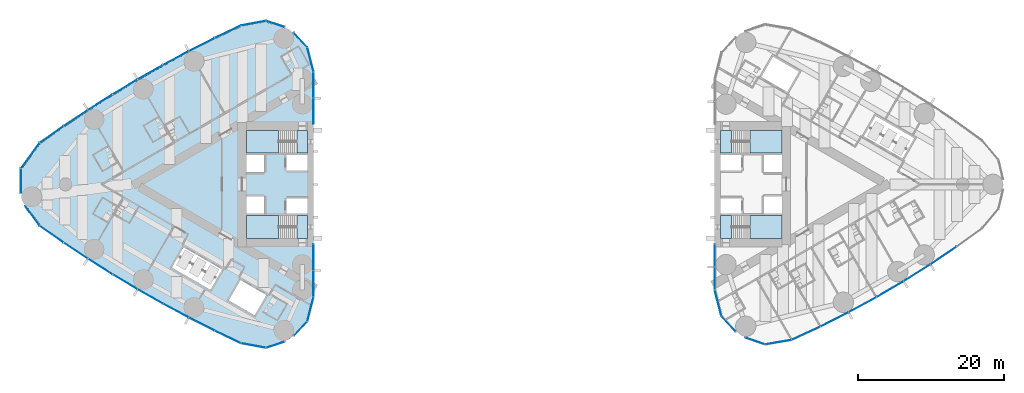
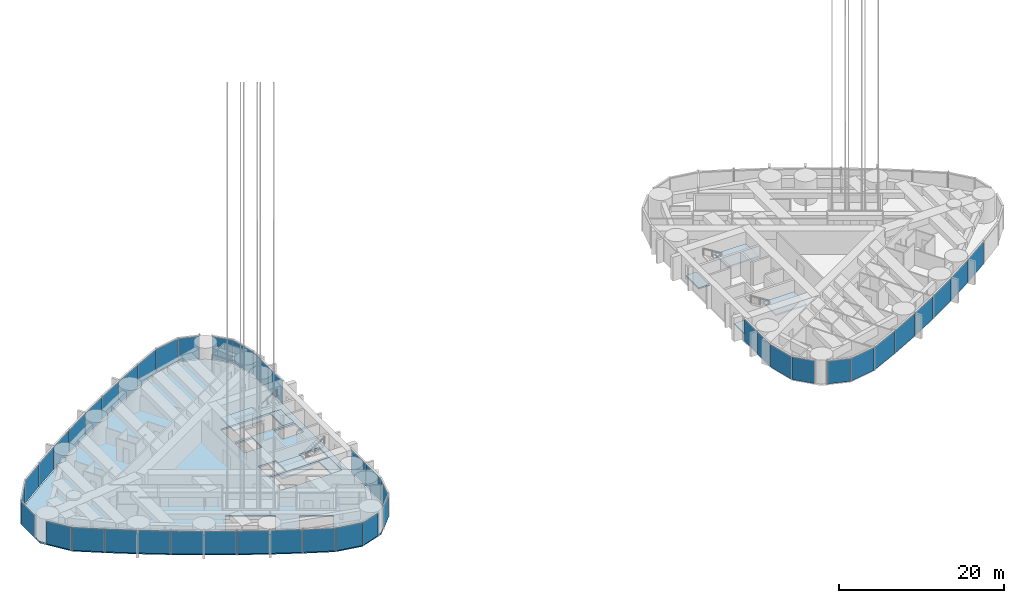
# One storey, part 10 of 21: 43 plates, 9 slabs, 10 elements without a shape of their own.
"""IFC4 building model written with IfcOpenShell, lengths in metres."""

from ifc_helpers import new_model, si_unit, direction, frame, origin, origin_2d, place, context, subcontext, project, spatial, polyline, rectangle, outline, extrude, material, layer, layer_set, type_object, element, aggregate, save


model = new_model("IFC4")

# Units and contexts
model_context = context("Model", 3, precision=1e-05, world=origin(), true_north=direction((0.0, 1.0)))
body_context = subcontext(model_context, "Body", "Model", "MODEL_VIEW")
ifc_project = project(units=[si_unit("LENGTHUNIT", "METRE"), si_unit("AREAUNIT", "SQUARE_METRE"), si_unit("VOLUMEUNIT", "CUBIC_METRE"), si_unit("PLANEANGLEUNIT", "RADIAN"), si_unit("MASSUNIT", "GRAM", prefix="KILO")], contexts=[model_context])

# Site, building, storey
site_placement = place(None, origin())
site = spatial("IfcSite", under=ifc_project, at=site_placement, CompositionType="ELEMENT")
building_placement = place(site_placement, origin())
building = spatial("IfcBuilding", under=site, at=building_placement, Name="Lancet Gate Hotel", CompositionType="ELEMENT")
storey_placement = place(building_placement, frame((0.0, 0.0, 156.300048828125)))
storey = spatial("IfcBuildingStorey", under=building, at=storey_placement, Name="L41", CompositionType="ELEMENT", Elevation=156.300048828125)

# Slab
ifc_material_1 = material(Name="Concrete C50/60", Category="concrete")
ifc_layer_1 = layer(ifc_material_1, 0.25)
ifc_layer_set_1 = layer_set([ifc_layer_1], Name="Floor slab 250")
slab_type_1 = type_object("IfcSlabType", Name="Floor slab 250", PredefinedType="FLOOR", material=ifc_layer_set_1)
slab_1_placement = place(storey_placement, frame((0.0, 0.0, -0.25)))
element("IfcSlab", 1, at=slab_1_placement, inside=storey, type_object=slab_type_1, Name="T1 L41 floor slab", PredefinedType="FLOOR", context=body_context, shape_type="SweptSolid", body=[
    extrude(outline(polyline([(-27.5, 8.60009765625), (-27.6201171875, 8.60009765625), (-27.6201171875, 15.408203125), (-28.46923828125, 18.7265625), (-30.797607421875, 21.217529296875), (-34.0361328125, 22.283935546875), (-37.403564453125, 21.660400390625), (-40.996826171875, 19.9453125), (-44.561767578125, 18.139404296875), (-48.0830078125, 16.250244140625), (-51.558837890625, 14.27880859375), (-54.987548828125, 12.22607421875), (-58.366943359375, 10.09326171875), (-61.695068359375, 7.881591796875), (-64.955322265625, 5.602783203125), (-67.49560546875, 2.138427734375), (-67.49560546875, -2.138427734375), (-64.955322265625, -5.602783203125), (-61.695068359375, -7.881591796875), (-58.366943359375, -10.09326171875), (-54.987548828125, -12.22607421875), (-51.558837890625, -14.27880859375), (-48.0830078125, -16.250244140625), (-44.561767578125, -18.139404296875), (-40.996826171875, -19.9453125), (-37.403564453125, -21.660400390625), (-34.0361328125, -22.283935546875), (-30.797607421875, -21.217529296875), (-28.46923828125, -18.7265625), (-27.6201171875, -15.408203125), (-27.6201171875, -8.60009765625), (-27.5, -8.60009765625), (-27.5, -8.199951171875), (-27.5, 8.199951171875), (-27.5, 8.60009765625)]), holes=[polyline([(-36.699951171875, 7.39990234375), (-36.699951171875, 4.300048828125), (-28.300048828125, 4.300048828125), (-28.300048828125, 7.39990234375), (-36.699951171875, 7.39990234375)]), polyline([(-28.300048828125, 4.0), (-31.199951171875, 4.0), (-31.199951171875, 1.89990234375), (-28.300048828125, 1.89990234375), (-28.300048828125, 4.0)]), polyline([(-34.25, 4.0), (-36.699951171875, 4.0), (-36.699951171875, 1.64990234375), (-34.25, 1.64990234375), (-34.25, 4.0)]), polyline([(-36.699951171875, -1.64990234375), (-36.699951171875, -4.0), (-34.25, -4.0), (-34.25, -1.64990234375), (-36.699951171875, -1.64990234375)]), polyline([(-28.300048828125, -1.89990234375), (-31.199951171875, -1.89990234375), (-31.199951171875, -4.0), (-28.300048828125, -4.0), (-28.300048828125, -1.89990234375)]), polyline([(-28.300048828125, -4.300048828125), (-36.699951171875, -4.300048828125), (-36.699951171875, -7.39990234375), (-28.300048828125, -7.39990234375), (-28.300048828125, -4.300048828125)]), polyline([(-40.035888671875, -11.680908203125), (-45.319091796875, -8.631103515625), (-46.9189453125, -11.402099609375), (-41.635986328125, -14.451904296875), (-40.035888671875, -11.680908203125)]), polyline([(-33.97412109375, -15.180908203125), (-37.52490234375, -13.131103515625), (-39.125, -15.902099609375), (-35.573974609375, -17.951904296875), (-33.97412109375, -15.180908203125)])]), origin(), (0.0, 0.0, 1.0), 0.25),
])

# Stair, slabs
ifc_material_2 = material(Name="Exit stair 20 risers 1500")
stair_type = type_object("IfcStairType", Name="Exit stair 20 risers 1500", PredefinedType="HALF_TURN_STAIR", material=ifc_material_2)
stair_1_placement = place(storey_placement, origin())
stair_1 = element("IfcStair", 2, at=stair_1_placement, inside=storey, type_object=stair_type, Name="T1 stair 1 L41", PredefinedType="HALF_TURN_STAIR")
ifc_material_3 = material(Name="Concrete C40/50", Category="concrete")
ifc_layer_2 = layer(ifc_material_3, 0.199951171875)
ifc_layer_set_2 = layer_set([ifc_layer_2], Name="Stair landing 200")
slab_type_2 = type_object("IfcSlabType", Name="Stair landing 200", PredefinedType="LANDING", material=ifc_layer_set_2)
slab_2_placement = place(storey_placement, frame((0.0, 0.0, -0.199951171875)))
slab_2 = element("IfcSlab", 3, at=slab_2_placement, type_object=slab_type_2, Name="ST1 landing 1", PredefinedType="LANDING", context=body_context, shape_type="SweptSolid", body=[
    extrude(outline(polyline([(-28.300048828125, 7.39990234375), (-29.800048828125, 7.39990234375), (-29.800048828125, 4.300048828125), (-28.300048828125, 4.300048828125), (-28.300048828125, 7.39990234375)])), origin(), (0.0, 0.0, 1.0), 0.199951171875),
])
slab_3_placement = place(storey_placement, frame((0.0, 0.0, 1.550048828125)))
slab_3 = element("IfcSlab", 4, at=slab_3_placement, type_object=slab_type_2, Name="ST1 landing 2", PredefinedType="LANDING", context=body_context, shape_type="SweptSolid", body=[
    extrude(outline(polyline([(-32.320068359375, 7.39990234375), (-36.699951171875, 7.39990234375), (-36.699951171875, 4.300048828125), (-32.320068359375, 4.300048828125), (-32.320068359375, 7.39990234375)])), origin(), (0.0, 0.0, 1.0), 0.199951171875),
])
aggregate(stair_1, [slab_2, slab_3])

stair_2_placement = place(storey_placement, origin())
stair_2 = element("IfcStair", 5, at=stair_2_placement, inside=storey, type_object=stair_type, Name="T1 stair 2 L41", PredefinedType="HALF_TURN_STAIR")
slab_4_placement = place(storey_placement, frame((0.0, 0.0, -0.199951171875)))
slab_4 = element("IfcSlab", 6, at=slab_4_placement, type_object=slab_type_2, Name="ST2 landing 1", PredefinedType="LANDING", context=body_context, shape_type="SweptSolid", body=[
    extrude(outline(polyline([(-28.300048828125, -4.300048828125), (-29.800048828125, -4.300048828125), (-29.800048828125, -7.39990234375), (-28.300048828125, -7.39990234375), (-28.300048828125, -4.300048828125)])), origin(), (0.0, 0.0, 1.0), 0.199951171875),
])
slab_5_placement = place(storey_placement, frame((0.0, 0.0, 1.550048828125)))
slab_5 = element("IfcSlab", 7, at=slab_5_placement, type_object=slab_type_2, Name="ST2 landing 2", PredefinedType="LANDING", context=body_context, shape_type="SweptSolid", body=[
    extrude(outline(polyline([(-32.320068359375, -4.300048828125), (-36.699951171875, -4.300048828125), (-36.699951171875, -7.39990234375), (-32.320068359375, -7.39990234375), (-32.320068359375, -4.300048828125)])), origin(), (0.0, 0.0, 1.0), 0.199951171875),
])
aggregate(stair_2, [slab_4, slab_5])

stair_3_placement = place(storey_placement, origin())
stair_3 = element("IfcStair", 8, at=stair_3_placement, inside=storey, type_object=stair_type, Name="T2 stair 1 L41", PredefinedType="HALF_TURN_STAIR")
slab_6_placement = place(storey_placement, frame((0.0, 0.0, -0.199951171875)))
slab_6 = element("IfcSlab", 9, at=slab_6_placement, type_object=slab_type_2, Name="ST3 landing 1", PredefinedType="LANDING", context=body_context, shape_type="SweptSolid", body=[
    extrude(outline(polyline([(28.300048828125, -7.39990234375), (29.800048828125, -7.39990234375), (29.800048828125, -4.300048828125), (28.300048828125, -4.300048828125), (28.300048828125, -7.39990234375)])), origin(), (0.0, 0.0, 1.0), 0.199951171875),
])
slab_7_placement = place(storey_placement, frame((0.0, 0.0, 1.550048828125)))
slab_7 = element("IfcSlab", 10, at=slab_7_placement, type_object=slab_type_2, Name="ST3 landing 2", PredefinedType="LANDING", context=body_context, shape_type="SweptSolid", body=[
    extrude(outline(polyline([(32.320068359375, -7.39990234375), (36.699951171875, -7.39990234375), (36.699951171875, -4.300048828125), (32.320068359375, -4.300048828125), (32.320068359375, -7.39990234375)])), origin(), (0.0, 0.0, 1.0), 0.199951171875),
])
aggregate(stair_3, [slab_6, slab_7])

stair_4_placement = place(storey_placement, origin())
stair_4 = element("IfcStair", 11, at=stair_4_placement, inside=storey, type_object=stair_type, Name="T2 stair 2 L41", PredefinedType="HALF_TURN_STAIR")
slab_8_placement = place(storey_placement, frame((0.0, 0.0, -0.199951171875)))
slab_8 = element("IfcSlab", 12, at=slab_8_placement, type_object=slab_type_2, Name="ST4 landing 1", PredefinedType="LANDING", context=body_context, shape_type="SweptSolid", body=[
    extrude(outline(polyline([(28.300048828125, 4.300048828125), (29.800048828125, 4.300048828125), (29.800048828125, 7.39990234375), (28.300048828125, 7.39990234375), (28.300048828125, 4.300048828125)])), origin(), (0.0, 0.0, 1.0), 0.199951171875),
])
slab_9_placement = place(storey_placement, frame((0.0, 0.0, 1.550048828125)))
slab_9 = element("IfcSlab", 13, at=slab_9_placement, type_object=slab_type_2, Name="ST4 landing 2", PredefinedType="LANDING", context=body_context, shape_type="SweptSolid", body=[
    extrude(outline(polyline([(32.320068359375, 4.300048828125), (36.699951171875, 4.300048828125), (36.699951171875, 7.39990234375), (32.320068359375, 7.39990234375), (32.320068359375, 4.300048828125)])), origin(), (0.0, 0.0, 1.0), 0.199951171875),
])
aggregate(stair_4, [slab_8, slab_9])

# Curtain wall, plates
ifc_material_4 = material(Name="Aluminium curtain wall", Category="aluminium")
curtain_wall_type = type_object("IfcCurtainWallType", Name="Tower unitised curtain wall", PredefinedType="USERDEFINED", material=ifc_material_4)
curtain_wall_1_placement = place(storey_placement, origin())
curtain_wall_1 = element("IfcCurtainWall", 14, at=curtain_wall_1_placement, inside=storey, type_object=curtain_wall_type, Name="T1 L41 curtain wall 1", ObjectType="UNITISED CURTAIN WALL", PredefinedType="USERDEFINED")
ifc_material_5 = material(Name="Glass double glazed unit 8-16-6", Category="glass")
ifc_layer_3 = layer(ifc_material_5, 0.030029296875)
ifc_layer_set_3 = layer_set([ifc_layer_3], Name="Vision panel double glazed")
plate_type = type_object("IfcPlateType", Name="Vision panel double glazed", PredefinedType="CURTAIN_PANEL", material=ifc_layer_set_3)
plate_1_placement = place(storey_placement, frame((-27.5, 10.005859375, 0.0), z_axis=(0.0, 0.0, 1.0), x_axis=(0.0, 1.0, 0.0)))
plate_1 = element("IfcPlate", 15, at=plate_1_placement, type_object=plate_type, Name="T1 L41 curtain wall 1 panel 1", PredefinedType="CURTAIN_PANEL", context=body_context, shape_type="SweptSolid", body=[
    extrude(rectangle(XDim=3.546630859375, YDim=0.030029296875, at=origin_2d()), origin(), (0.0, 0.0, 1.0), 3.35009765625),
])
plate_2_placement = place(storey_placement, frame((-27.5, 13.617431640625, 0.0), z_axis=(0.0, 0.0, 1.0), x_axis=(0.0, 1.0, 0.0)))
plate_2 = element("IfcPlate", 16, at=plate_2_placement, type_object=plate_type, Name="T1 L41 curtain wall 1 panel 2", PredefinedType="CURTAIN_PANEL", context=body_context, shape_type="SweptSolid", body=[
    extrude(rectangle(XDim=3.546630859375, YDim=0.030029296875, at=origin_2d()), origin(), (0.0, 0.0, 1.0), 3.35009765625),
])
plate_3_placement = place(storey_placement, frame((-27.930419921875, 17.104736328125, 0.0), z_axis=(0.0, 0.0, 1.0), x_axis=(-0.247936754654, 0.968776220647, 0.0)))
plate_3 = element("IfcPlate", 17, at=plate_3_placement, type_object=plate_type, Name="T1 L41 curtain wall 1 panel 3", PredefinedType="CURTAIN_PANEL", context=body_context, shape_type="SweptSolid", body=[
    extrude(rectangle(XDim=3.406005859375, YDim=0.030029296875, at=origin_2d()), origin(), (0.0, 0.0, 1.0), 3.35009765625),
])
plate_4_placement = place(storey_placement, frame((-29.28564453125, 19.77587890625, 0.0), z_axis=(0.0, 0.0, 1.0), x_axis=(-0.682844962172, 0.730563315282, 0.0)))
plate_4 = element("IfcPlate", 18, at=plate_4_placement, type_object=plate_type, Name="T1 L41 curtain wall 1 panel 4", PredefinedType="CURTAIN_PANEL", context=body_context, shape_type="SweptSolid", body=[
    extrude(rectangle(XDim=2.64453125, YDim=0.030029296875, at=origin_2d()), origin(), (0.0, 0.0, 1.0), 3.35009765625),
])
aggregate(curtain_wall_1, [plate_1, plate_2, plate_3, plate_4])

curtain_wall_2_placement = place(storey_placement, origin())
curtain_wall_2 = element("IfcCurtainWall", 19, at=curtain_wall_2_placement, inside=storey, type_object=curtain_wall_type, Name="T1 L41 curtain wall 2", ObjectType="UNITISED CURTAIN WALL", PredefinedType="USERDEFINED")
plate_5_placement = place(storey_placement, frame((-32.740234375, 21.983642578125, 0.0), z_axis=(0.0, 0.0, 1.0), x_axis=(-0.949848055084, 0.312711803827, 0.0)))
plate_5 = element("IfcPlate", 20, at=plate_5_placement, type_object=plate_type, Name="T1 L41 curtain wall 2 panel 1", PredefinedType="CURTAIN_PANEL", context=body_context, shape_type="SweptSolid", body=[
    extrude(rectangle(XDim=2.64599609375, YDim=0.030029296875, at=origin_2d()), origin(), (0.0, 0.0, 1.0), 3.35009765625),
])
plate_6_placement = place(storey_placement, frame((-35.734375, 22.091552734375, 0.0), z_axis=(0.0, 0.0, 1.0), x_axis=(-0.983292499426, -0.182032581075, 0.0)))
plate_6 = element("IfcPlate", 21, at=plate_6_placement, type_object=plate_type, Name="T1 L41 curtain wall 2 panel 2", PredefinedType="CURTAIN_PANEL", context=body_context, shape_type="SweptSolid", body=[
    extrude(rectangle(XDim=3.406005859375, YDim=0.030029296875, at=origin_2d()), origin(), (0.0, 0.0, 1.0), 3.35009765625),
])
plate_7_placement = place(storey_placement, frame((-39.245361328125, 20.914306640625, 0.0), z_axis=(0.0, 0.0, 1.0), x_axis=(-0.902453530018, -0.430787216799, 0.0)))
plate_7 = element("IfcPlate", 22, at=plate_7_placement, type_object=plate_type, Name="T1 L41 curtain wall 2 panel 3", PredefinedType="CURTAIN_PANEL", context=body_context, shape_type="SweptSolid", body=[
    extrude(rectangle(XDim=3.933837890625, YDim=0.030029296875, at=origin_2d()), origin(), (0.0, 0.0, 1.0), 3.35009765625),
])
plate_8_placement = place(storey_placement, frame((-42.83349609375, 19.1494140625, 0.0), z_axis=(0.0, 0.0, 1.0), x_axis=(-0.892071119911, -0.451895028762, 0.0)))
plate_8 = element("IfcPlate", 23, at=plate_8_placement, type_object=plate_type, Name="T1 L41 curtain wall 2 panel 4", PredefinedType="CURTAIN_PANEL", context=body_context, shape_type="SweptSolid", body=[
    extrude(rectangle(XDim=3.933837890625, YDim=0.030029296875, at=origin_2d()), origin(), (0.0, 0.0, 1.0), 3.35009765625),
])
plate_9_placement = place(storey_placement, frame((-46.379150390625, 17.300537109375, 0.0), z_axis=(0.0, 0.0, 1.0), x_axis=(-0.881195096384, -0.472752791751, 0.0)))
plate_9 = element("IfcPlate", 24, at=plate_9_placement, type_object=plate_type, Name="T1 L41 curtain wall 2 panel 5", PredefinedType="CURTAIN_PANEL", context=body_context, shape_type="SweptSolid", body=[
    extrude(rectangle(XDim=3.933837890625, YDim=0.030029296875, at=origin_2d()), origin(), (0.0, 0.0, 1.0), 3.35009765625),
])
plate_10_placement = place(storey_placement, frame((-49.880126953125, 15.368896484375, 0.0), z_axis=(0.0, 0.0, 1.0), x_axis=(-0.869831477496, -0.493348964484, 0.0)))
plate_10 = element("IfcPlate", 25, at=plate_10_placement, type_object=plate_type, Name="T1 L41 curtain wall 2 panel 6", PredefinedType="CURTAIN_PANEL", context=body_context, shape_type="SweptSolid", body=[
    extrude(rectangle(XDim=3.933837890625, YDim=0.030029296875, at=origin_2d()), origin(), (0.0, 0.0, 1.0), 3.35009765625),
])
plate_11_placement = place(storey_placement, frame((-53.3349609375, 13.35546875, 0.0), z_axis=(0.0, 0.0, 1.0), x_axis=(-0.857986551132, -0.51367215038, 0.0)))
plate_11 = element("IfcPlate", 26, at=plate_11_placement, type_object=plate_type, Name="T1 L41 curtain wall 2 panel 7", PredefinedType="CURTAIN_PANEL", context=body_context, shape_type="SweptSolid", body=[
    extrude(rectangle(XDim=3.933837890625, YDim=0.030029296875, at=origin_2d()), origin(), (0.0, 0.0, 1.0), 3.35009765625),
])
plate_12_placement = place(storey_placement, frame((-56.7412109375, 11.26123046875, 0.0), z_axis=(0.0, 0.0, 1.0), x_axis=(-0.845666871497, -0.533711103925, 0.0)))
plate_12 = element("IfcPlate", 27, at=plate_12_placement, type_object=plate_type, Name="T1 L41 curtain wall 2 panel 8", PredefinedType="CURTAIN_PANEL", context=body_context, shape_type="SweptSolid", body=[
    extrude(rectangle(XDim=3.933837890625, YDim=0.030029296875, at=origin_2d()), origin(), (0.0, 0.0, 1.0), 3.35009765625),
])
plate_13_placement = place(storey_placement, frame((-60.097412109375, 9.08740234375, 0.0), z_axis=(0.0, 0.0, 1.0), x_axis=(-0.832879255498, -0.553454736867, 0.0)))
plate_13 = element("IfcPlate", 28, at=plate_13_placement, type_object=plate_type, Name="T1 L41 curtain wall 2 panel 9", PredefinedType="CURTAIN_PANEL", context=body_context, shape_type="SweptSolid", body=[
    extrude(rectangle(XDim=3.933837890625, YDim=0.030029296875, at=origin_2d()), origin(), (0.0, 0.0, 1.0), 3.35009765625),
])
plate_14_placement = place(storey_placement, frame((-63.401611328125, 6.835205078125, 0.0), z_axis=(0.0, 0.0, 1.0), x_axis=(-0.819630778943, -0.572892124409, 0.0)))
plate_14 = element("IfcPlate", 29, at=plate_14_placement, type_object=plate_type, Name="T1 L41 curtain wall 2 panel 10", PredefinedType="CURTAIN_PANEL", context=body_context, shape_type="SweptSolid", body=[
    extrude(rectangle(XDim=3.933837890625, YDim=0.030029296875, at=origin_2d()), origin(), (0.0, 0.0, 1.0), 3.35009765625),
])
plate_15_placement = place(storey_placement, frame((-66.328125, 3.933837890625, 0.0), z_axis=(0.0, 0.0, 1.0), x_axis=(-0.591299785592, -0.806451835858, 0.0)))
plate_15 = element("IfcPlate", 30, at=plate_15_placement, type_object=plate_type, Name="T1 L41 curtain wall 2 panel 11", PredefinedType="CURTAIN_PANEL", context=body_context, shape_type="SweptSolid", body=[
    extrude(rectangle(XDim=4.290283203125, YDim=0.030029296875, at=origin_2d()), origin(), (0.0, 0.0, 1.0), 3.35009765625),
])
plate_16_placement = place(storey_placement, frame((-67.61572265625, 0.478515625, 0.0), z_axis=(0.0, 0.0, 1.0), x_axis=(0.0, -1.0, 0.0)))
plate_16 = element("IfcPlate", 31, at=plate_16_placement, type_object=plate_type, Name="T1 L41 curtain wall 2 panel 12", PredefinedType="CURTAIN_PANEL", context=body_context, shape_type="SweptSolid", body=[
    extrude(rectangle(XDim=3.333251953125, YDim=0.030029296875, at=origin_2d()), origin(), (0.0, 0.0, 1.0), 3.35009765625),
])
aggregate(curtain_wall_2, [plate_5, plate_6, plate_7, plate_8, plate_9, plate_10, plate_11, plate_12, plate_13, plate_14, plate_15, plate_16])

curtain_wall_3_placement = place(storey_placement, origin())
curtain_wall_3 = element("IfcCurtainWall", 32, at=curtain_wall_3_placement, inside=storey, type_object=curtain_wall_type, Name="T1 L41 curtain wall 3", ObjectType="UNITISED CURTAIN WALL", PredefinedType="USERDEFINED")
plate_17_placement = place(storey_placement, frame((-66.04541015625, -4.3193359375, 0.0), z_axis=(0.0, 0.0, 1.0), x_axis=(0.591299785592, -0.806451835858, 0.0)))
plate_17 = element("IfcPlate", 33, at=plate_17_placement, type_object=plate_type, Name="T1 L41 curtain wall 3 panel 1", PredefinedType="CURTAIN_PANEL", context=body_context, shape_type="SweptSolid", body=[
    extrude(rectangle(XDim=3.334228515625, YDim=0.030029296875, at=origin_2d()), origin(), (0.0, 0.0, 1.0), 3.35009765625),
])
plate_18_placement = place(storey_placement, frame((-63.401611328125, -6.835205078125, 0.0), z_axis=(0.0, 0.0, 1.0), x_axis=(0.819630778943, -0.572892124409, 0.0)))
plate_18 = element("IfcPlate", 34, at=plate_18_placement, type_object=plate_type, Name="T1 L41 curtain wall 3 panel 2", PredefinedType="CURTAIN_PANEL", context=body_context, shape_type="SweptSolid", body=[
    extrude(rectangle(XDim=3.933837890625, YDim=0.030029296875, at=origin_2d()), origin(), (0.0, 0.0, 1.0), 3.35009765625),
])
plate_19_placement = place(storey_placement, frame((-60.097412109375, -9.08740234375, 0.0), z_axis=(0.0, 0.0, 1.0), x_axis=(0.832879255498, -0.553454736867, 0.0)))
plate_19 = element("IfcPlate", 35, at=plate_19_placement, type_object=plate_type, Name="T1 L41 curtain wall 3 panel 3", PredefinedType="CURTAIN_PANEL", context=body_context, shape_type="SweptSolid", body=[
    extrude(rectangle(XDim=3.933837890625, YDim=0.030029296875, at=origin_2d()), origin(), (0.0, 0.0, 1.0), 3.35009765625),
])
plate_20_placement = place(storey_placement, frame((-56.7412109375, -11.26123046875, 0.0), z_axis=(0.0, 0.0, 1.0), x_axis=(0.845666871497, -0.533711103925, 0.0)))
plate_20 = element("IfcPlate", 36, at=plate_20_placement, type_object=plate_type, Name="T1 L41 curtain wall 3 panel 4", PredefinedType="CURTAIN_PANEL", context=body_context, shape_type="SweptSolid", body=[
    extrude(rectangle(XDim=3.933837890625, YDim=0.030029296875, at=origin_2d()), origin(), (0.0, 0.0, 1.0), 3.35009765625),
])
plate_21_placement = place(storey_placement, frame((-53.3349609375, -13.35546875, 0.0), z_axis=(0.0, 0.0, 1.0), x_axis=(0.857986551132, -0.51367215038, 0.0)))
plate_21 = element("IfcPlate", 37, at=plate_21_placement, type_object=plate_type, Name="T1 L41 curtain wall 3 panel 5", PredefinedType="CURTAIN_PANEL", context=body_context, shape_type="SweptSolid", body=[
    extrude(rectangle(XDim=3.933837890625, YDim=0.030029296875, at=origin_2d()), origin(), (0.0, 0.0, 1.0), 3.35009765625),
])
plate_22_placement = place(storey_placement, frame((-49.880126953125, -15.368896484375, 0.0), z_axis=(0.0, 0.0, 1.0), x_axis=(0.869831477496, -0.493348964484, 0.0)))
plate_22 = element("IfcPlate", 38, at=plate_22_placement, type_object=plate_type, Name="T1 L41 curtain wall 3 panel 6", PredefinedType="CURTAIN_PANEL", context=body_context, shape_type="SweptSolid", body=[
    extrude(rectangle(XDim=3.933837890625, YDim=0.030029296875, at=origin_2d()), origin(), (0.0, 0.0, 1.0), 3.35009765625),
])
plate_23_placement = place(storey_placement, frame((-46.379150390625, -17.300537109375, 0.0), z_axis=(0.0, 0.0, 1.0), x_axis=(0.881195096384, -0.472752791751, 0.0)))
plate_23 = element("IfcPlate", 39, at=plate_23_placement, type_object=plate_type, Name="T1 L41 curtain wall 3 panel 7", PredefinedType="CURTAIN_PANEL", context=body_context, shape_type="SweptSolid", body=[
    extrude(rectangle(XDim=3.933837890625, YDim=0.030029296875, at=origin_2d()), origin(), (0.0, 0.0, 1.0), 3.35009765625),
])
plate_24_placement = place(storey_placement, frame((-42.83349609375, -19.1494140625, 0.0), z_axis=(0.0, 0.0, 1.0), x_axis=(0.892071119911, -0.451895028762, 0.0)))
plate_24 = element("IfcPlate", 40, at=plate_24_placement, type_object=plate_type, Name="T1 L41 curtain wall 3 panel 8", PredefinedType="CURTAIN_PANEL", context=body_context, shape_type="SweptSolid", body=[
    extrude(rectangle(XDim=3.933837890625, YDim=0.030029296875, at=origin_2d()), origin(), (0.0, 0.0, 1.0), 3.35009765625),
])
plate_25_placement = place(storey_placement, frame((-39.245361328125, -20.914306640625, 0.0), z_axis=(0.0, 0.0, 1.0), x_axis=(0.902453530018, -0.430787216799, 0.0)))
plate_25 = element("IfcPlate", 41, at=plate_25_placement, type_object=plate_type, Name="T1 L41 curtain wall 3 panel 9", PredefinedType="CURTAIN_PANEL", context=body_context, shape_type="SweptSolid", body=[
    extrude(rectangle(XDim=3.933837890625, YDim=0.030029296875, at=origin_2d()), origin(), (0.0, 0.0, 1.0), 3.35009765625),
])
plate_26_placement = place(storey_placement, frame((-35.734375, -22.091552734375, 0.0), z_axis=(0.0, 0.0, 1.0), x_axis=(0.983292499426, -0.182032581075, 0.0)))
plate_26 = element("IfcPlate", 42, at=plate_26_placement, type_object=plate_type, Name="T1 L41 curtain wall 3 panel 10", PredefinedType="CURTAIN_PANEL", context=body_context, shape_type="SweptSolid", body=[
    extrude(rectangle(XDim=3.406005859375, YDim=0.030029296875, at=origin_2d()), origin(), (0.0, 0.0, 1.0), 3.35009765625),
])
plate_27_placement = place(storey_placement, frame((-32.740234375, -21.983642578125, 0.0), z_axis=(0.0, 0.0, 1.0), x_axis=(0.949848055084, 0.312711803827, 0.0)))
plate_27 = element("IfcPlate", 43, at=plate_27_placement, type_object=plate_type, Name="T1 L41 curtain wall 3 panel 11", PredefinedType="CURTAIN_PANEL", context=body_context, shape_type="SweptSolid", body=[
    extrude(rectangle(XDim=2.64599609375, YDim=0.030029296875, at=origin_2d()), origin(), (0.0, 0.0, 1.0), 3.35009765625),
])
aggregate(curtain_wall_3, [plate_17, plate_18, plate_19, plate_20, plate_21, plate_22, plate_23, plate_24, plate_25, plate_26, plate_27])

curtain_wall_4_placement = place(storey_placement, origin())
curtain_wall_4 = element("IfcCurtainWall", 44, at=curtain_wall_4_placement, inside=storey, type_object=curtain_wall_type, Name="T1 L41 curtain wall 4", ObjectType="UNITISED CURTAIN WALL", PredefinedType="USERDEFINED")
plate_28_placement = place(storey_placement, frame((-29.28564453125, -19.77587890625, 0.0), z_axis=(0.0, 0.0, 1.0), x_axis=(0.682844962172, 0.730563315282, 0.0)))
plate_28 = element("IfcPlate", 45, at=plate_28_placement, type_object=plate_type, Name="T1 L41 curtain wall 4 panel 1", PredefinedType="CURTAIN_PANEL", context=body_context, shape_type="SweptSolid", body=[
    extrude(rectangle(XDim=2.64453125, YDim=0.030029296875, at=origin_2d()), origin(), (0.0, 0.0, 1.0), 3.35009765625),
])
plate_29_placement = place(storey_placement, frame((-27.930419921875, -17.104736328125, 0.0), z_axis=(0.0, 0.0, 1.0), x_axis=(0.247936754654, 0.968776220647, 0.0)))
plate_29 = element("IfcPlate", 46, at=plate_29_placement, type_object=plate_type, Name="T1 L41 curtain wall 4 panel 2", PredefinedType="CURTAIN_PANEL", context=body_context, shape_type="SweptSolid", body=[
    extrude(rectangle(XDim=3.406005859375, YDim=0.030029296875, at=origin_2d()), origin(), (0.0, 0.0, 1.0), 3.35009765625),
])
plate_30_placement = place(storey_placement, frame((-27.5, -13.617431640625, 0.0), z_axis=(0.0, 0.0, 1.0), x_axis=(0.0, 1.0, 0.0)))
plate_30 = element("IfcPlate", 47, at=plate_30_placement, type_object=plate_type, Name="T1 L41 curtain wall 4 panel 3", PredefinedType="CURTAIN_PANEL", context=body_context, shape_type="SweptSolid", body=[
    extrude(rectangle(XDim=3.546630859375, YDim=0.030029296875, at=origin_2d()), origin(), (0.0, 0.0, 1.0), 3.35009765625),
])
plate_31_placement = place(storey_placement, frame((-27.5, -10.005859375, 0.0), z_axis=(0.0, 0.0, 1.0), x_axis=(0.0, 1.0, 0.0)))
plate_31 = element("IfcPlate", 48, at=plate_31_placement, type_object=plate_type, Name="T1 L41 curtain wall 4 panel 4", PredefinedType="CURTAIN_PANEL", context=body_context, shape_type="SweptSolid", body=[
    extrude(rectangle(XDim=3.546630859375, YDim=0.030029296875, at=origin_2d()), origin(), (0.0, 0.0, 1.0), 3.35009765625),
])
aggregate(curtain_wall_4, [plate_28, plate_29, plate_30, plate_31])

curtain_wall_5_placement = place(storey_placement, origin())
curtain_wall_5 = element("IfcCurtainWall", 49, at=curtain_wall_5_placement, inside=storey, type_object=curtain_wall_type, Name="T2 L41 curtain wall 1", ObjectType="UNITISED CURTAIN WALL", PredefinedType="USERDEFINED")
plate_32_placement = place(storey_placement, frame((27.5, -9.766357421875, 0.0), z_axis=(0.0, 0.0, 1.0), x_axis=(0.0, -1.0, 0.0)))
plate_32 = element("IfcPlate", 50, at=plate_32_placement, type_object=plate_type, Name="T2 L41 curtain wall 1 panel 1", PredefinedType="CURTAIN_PANEL", context=body_context, shape_type="SweptSolid", body=[
    extrude(rectangle(XDim=3.06787109375, YDim=0.030029296875, at=origin_2d()), origin(), (0.0, 0.0, 1.0), 3.35009765625),
])
plate_33_placement = place(storey_placement, frame((27.5, -12.899169921875, 0.0), z_axis=(0.0, 0.0, 1.0), x_axis=(0.0, -1.0, 0.0)))
plate_33 = element("IfcPlate", 51, at=plate_33_placement, type_object=plate_type, Name="T2 L41 curtain wall 1 panel 2", PredefinedType="CURTAIN_PANEL", context=body_context, shape_type="SweptSolid", body=[
    extrude(rectangle(XDim=3.06787109375, YDim=0.030029296875, at=origin_2d()), origin(), (0.0, 0.0, 1.0), 3.35009765625),
])
plate_34_placement = place(storey_placement, frame((27.95458984375, -16.2548828125, 0.0), z_axis=(0.0, 0.0, 1.0), x_axis=(0.246166705764, -0.969227503207, 0.0)))
plate_34 = element("IfcPlate", 52, at=plate_34_placement, type_object=plate_type, Name="T2 L41 curtain wall 1 panel 3", PredefinedType="CURTAIN_PANEL", context=body_context, shape_type="SweptSolid", body=[
    extrude(rectangle(XDim=3.62744140625, YDim=0.030029296875, at=origin_2d()), origin(), (0.0, 0.0, 1.0), 3.35009765625),
])
plate_35_placement = place(storey_placement, frame((29.4052734375, -19.122314453125, 0.0), z_axis=(0.0, 0.0, 1.0), x_axis=(0.67883123083, -0.734294327943, 0.0)))
plate_35 = element("IfcPlate", 53, at=plate_35_placement, type_object=plate_type, Name="T2 L41 curtain wall 1 panel 4", PredefinedType="CURTAIN_PANEL", context=body_context, shape_type="SweptSolid", body=[
    extrude(rectangle(XDim=2.87060546875, YDim=0.030029296875, at=origin_2d()), origin(), (0.0, 0.0, 1.0), 3.35009765625),
])
aggregate(curtain_wall_5, [plate_32, plate_33, plate_34, plate_35])

curtain_wall_6_placement = place(storey_placement, origin())
curtain_wall_6 = element("IfcCurtainWall", 54, at=curtain_wall_6_placement, inside=storey, type_object=curtain_wall_type, Name="T2 L41 curtain wall 2", ObjectType="UNITISED CURTAIN WALL", PredefinedType="USERDEFINED")
plate_36_placement = place(storey_placement, frame((33.02197265625, -21.470703125, 0.0), z_axis=(0.0, 0.0, 1.0), x_axis=(0.946952368511, -0.321373943827, 0.0)))
plate_36 = element("IfcPlate", 55, at=plate_36_placement, type_object=plate_type, Name="T2 L41 curtain wall 2 panel 1", PredefinedType="CURTAIN_PANEL", context=body_context, shape_type="SweptSolid", body=[
    extrude(rectangle(XDim=2.871337890625, YDim=0.030029296875, at=origin_2d()), origin(), (0.0, 0.0, 1.0), 3.35009765625),
])
plate_37_placement = place(storey_placement, frame((36.231689453125, -21.629638671875, 0.0), z_axis=(0.0, 0.0, 1.0), x_axis=(0.985539649572, 0.169444973729, 0.0)))
plate_37 = element("IfcPlate", 56, at=plate_37_placement, type_object=plate_type, Name="T2 L41 curtain wall 2 panel 2", PredefinedType="CURTAIN_PANEL", context=body_context, shape_type="SweptSolid", body=[
    extrude(rectangle(XDim=3.62744140625, YDim=0.030029296875, at=origin_2d()), origin(), (0.0, 0.0, 1.0), 3.35009765625),
])
plate_38_placement = place(storey_placement, frame((40.0166015625, -20.40380859375, 0.0), z_axis=(0.0, 0.0, 1.0), x_axis=(0.906934888522, 0.421270824982, 0.0)))
plate_38 = element("IfcPlate", 57, at=plate_38_placement, type_object=plate_type, Name="T2 L41 curtain wall 2 panel 3", PredefinedType="CURTAIN_PANEL", context=body_context, shape_type="SweptSolid", body=[
    extrude(rectangle(XDim=4.26904296875, YDim=0.030029296875, at=origin_2d()), origin(), (0.0, 0.0, 1.0), 3.35009765625),
])
plate_39_placement = place(storey_placement, frame((43.917236328125, -18.516357421875, 0.0), z_axis=(0.0, 0.0, 1.0), x_axis=(0.893121465596, 0.449815570752, 0.0)))
plate_39 = element("IfcPlate", 58, at=plate_39_placement, type_object=plate_type, Name="T2 L41 curtain wall 2 panel 4", PredefinedType="CURTAIN_PANEL", context=body_context, shape_type="SweptSolid", body=[
    extrude(rectangle(XDim=4.26904296875, YDim=0.030029296875, at=origin_2d()), origin(), (0.0, 0.0, 1.0), 3.35009765625),
])
plate_40_placement = place(storey_placement, frame((47.756103515625, -16.505859375, 0.0), z_axis=(0.0, 0.0, 1.0), x_axis=(0.878409907967, 0.477907976063, 0.0)))
plate_40 = element("IfcPlate", 59, at=plate_40_placement, type_object=plate_type, Name="T2 L41 curtain wall 2 panel 5", PredefinedType="CURTAIN_PANEL", context=body_context, shape_type="SweptSolid", body=[
    extrude(rectangle(XDim=4.26904296875, YDim=0.030029296875, at=origin_2d()), origin(), (0.0, 0.0, 1.0), 3.35009765625),
])
plate_41_placement = place(storey_placement, frame((51.529296875, -14.374755859375, 0.0), z_axis=(0.0, 0.0, 1.0), x_axis=(0.862815009772, 0.505519790822, 0.0)))
plate_41 = element("IfcPlate", 60, at=plate_41_placement, type_object=plate_type, Name="T2 L41 curtain wall 2 panel 6", PredefinedType="CURTAIN_PANEL", context=body_context, shape_type="SweptSolid", body=[
    extrude(rectangle(XDim=4.26904296875, YDim=0.030029296875, at=origin_2d()), origin(), (0.0, 0.0, 1.0), 3.35009765625),
])
plate_42_placement = place(storey_placement, frame((55.233154296875, -12.125244140625, 0.0), z_axis=(0.0, 0.0, 1.0), x_axis=(0.846352453444, 0.532623248225, 0.0)))
plate_42 = element("IfcPlate", 61, at=plate_42_placement, type_object=plate_type, Name="T2 L41 curtain wall 2 panel 7", PredefinedType="CURTAIN_PANEL", context=body_context, shape_type="SweptSolid", body=[
    extrude(rectangle(XDim=4.26904296875, YDim=0.030029296875, at=origin_2d()), origin(), (0.0, 0.0, 1.0), 3.35009765625),
])
plate_43_placement = place(storey_placement, frame((58.863525390625, -9.75927734375, 0.0), z_axis=(0.0, 0.0, 1.0), x_axis=(0.829038793948, 0.559191092677, 0.0)))
plate_43 = element("IfcPlate", 62, at=plate_43_placement, type_object=plate_type, Name="T2 L41 curtain wall 2 panel 8", PredefinedType="CURTAIN_PANEL", context=body_context, shape_type="SweptSolid", body=[
    extrude(rectangle(XDim=4.26904296875, YDim=0.030029296875, at=origin_2d()), origin(), (0.0, 0.0, 1.0), 3.35009765625),
])
aggregate(curtain_wall_6, [plate_36, plate_37, plate_38, plate_39, plate_40, plate_41, plate_42, plate_43])

save(model, "model.ifc")
